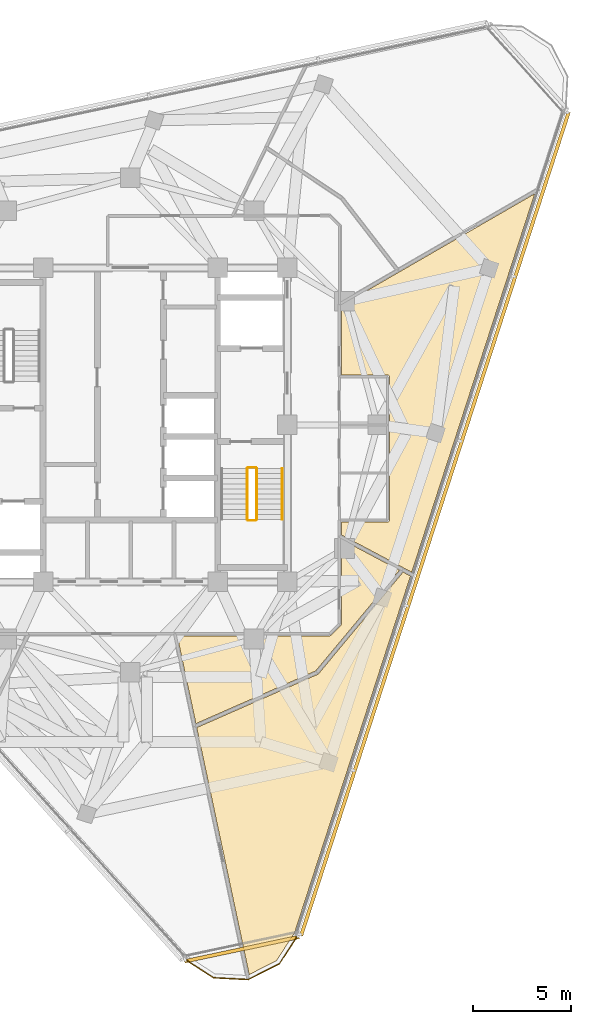
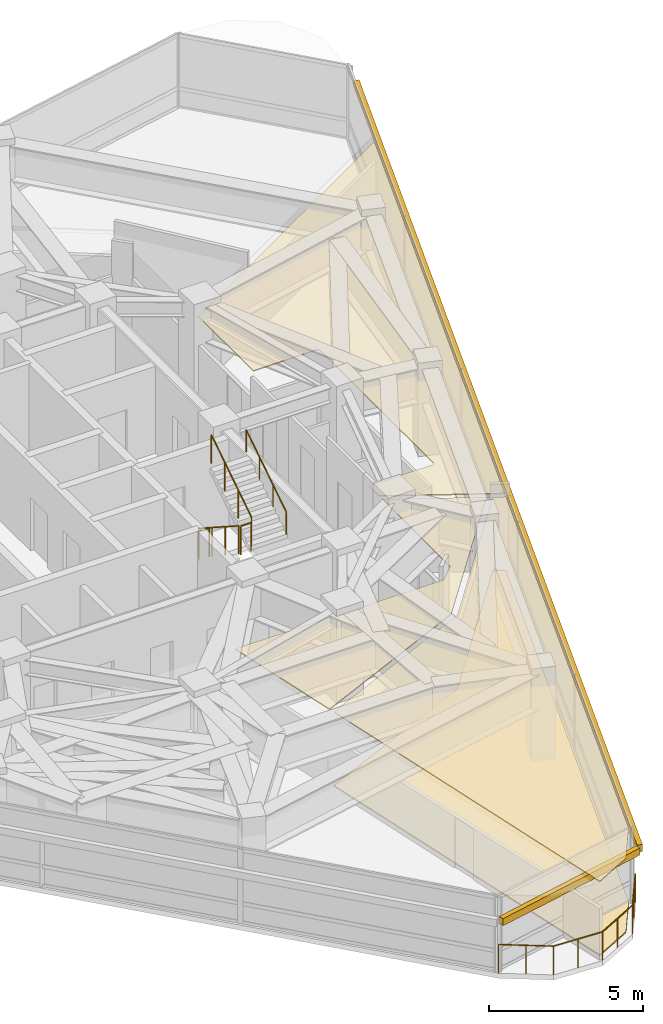
# One storey, part 13 of 15: 6 railings, 4 coverings, 2 shading devices.
"""IFC4 building model written with IfcOpenShell, lengths in metres."""

from ifc_helpers import new_model, si_unit, direction, frame, origin, origin_2d, place, context, subcontext, project, spatial, polyline, rectangle, circle, outline, extrude, material, layer, layer_set, type_object, element, save


model = new_model("IFC4")

# Units and contexts
model_context = context("Model", 3, precision=1e-05, world=origin(), true_north=direction((0.0, 1.0)))
body_context = subcontext(model_context, "Body", "Model", "MODEL_VIEW")
ifc_project = project(units=[si_unit("LENGTHUNIT", "METRE"), si_unit("AREAUNIT", "SQUARE_METRE"), si_unit("VOLUMEUNIT", "CUBIC_METRE"), si_unit("PLANEANGLEUNIT", "RADIAN"), si_unit("MASSUNIT", "GRAM", prefix="KILO")], contexts=[model_context])

# Site, building, storey
site_placement = place(None, origin())
site = spatial("IfcSite", under=ifc_project, at=site_placement, CompositionType="ELEMENT")
building_placement = place(site_placement, origin())
building = spatial("IfcBuilding", under=site, at=building_placement, Name="Terralouvre Media Tower", CompositionType="ELEMENT")
storey_placement = place(building_placement, frame((0.0, 0.0, 309.10009765625)))
storey = spatial("IfcBuildingStorey", under=building, at=storey_placement, Name="L80", CompositionType="ELEMENT", Elevation=309.10009765625)

# Coverings
ifc_material_1 = material(Name="Resilient elastomer acoustic broadcast studio flooring")
ifc_layer_1 = layer(ifc_material_1, 0.050048828125, Name="Broadcast Studio Acoustic Floating Floor FL-AC1")
ifc_layer_set_1 = layer_set([ifc_layer_1], Name="Resilient elastomer acoustic broadcast studio flooring")
covering_type_1 = type_object("IfcCoveringType", Name="Broadcast Studio Acoustic Floating Floor FL-AC1", PredefinedType="FLOORING", material=ifc_layer_set_1)
covering_1_placement = place(storey_placement, frame((0.0, 0.0, 0.0), z_axis=(0.0, 0.0, 1.0), x_axis=(0.309016994375, 0.951056516295, 0.0)))
element("IfcCovering", 1, at=covering_1_placement, inside=storey, type_object=covering_type_1, Name="L80 Vinyl and Score Music Library 4 Acoustic Floating Floor", PredefinedType="FLOORING", context=body_context, shape_type="SweptSolid", body=[
    extrude(outline(polyline([(-9.098876953125, -13.03564453125), (-9.107421875, -13.03173828125), (-9.115478515625, -13.02734375), (-9.123046875, -13.02197265625), (-9.130126953125, -13.01611328125), (-9.136474609375, -13.00927734375), (-13.624267578125, -7.9814453125), (-24.7685546875, -14.4150390625), (-23.666015625, -15.518310546875), (-22.03125, -15.9560546875), (-2.914794921875, -15.95654296875), (-2.840576171875, -15.532958984375), (-9.098876953125, -13.03564453125)])), origin(), (0.0, 0.0, 1.0), 0.0498046875),
])
ifc_material_2 = material(Name="Perforated aluminium acoustic ceiling baffle", Category="aluminium")
ifc_layer_2 = layer(ifc_material_2, 0.0400390625, Name="Perforated Acoustic Metal Tile Ceiling CL-AC1")
ifc_layer_set_2 = layer_set([ifc_layer_2], Name="Perforated aluminium acoustic ceiling baffle")
covering_type_2 = type_object("IfcCoveringType", Name="Perforated Acoustic Metal Tile Ceiling CL-AC1", PredefinedType="CEILING", material=ifc_layer_set_2)
covering_2_placement = place(storey_placement, frame((0.0, 0.0, 2.919921875), z_axis=(0.0, 0.0, 1.0), x_axis=(0.309016994375, 0.951056516295, 0.0)))
element("IfcCovering", 2, at=covering_2_placement, inside=storey, type_object=covering_type_2, Name="L80 Vinyl and Score Music Library 4 Acoustic Ceiling", PredefinedType="CEILING", context=body_context, shape_type="SweptSolid", body=[
    extrude(outline(polyline([(-9.098876953125, -13.03564453125), (-9.107421875, -13.03173828125), (-9.115478515625, -13.02734375), (-9.123046875, -13.02197265625), (-9.130126953125, -13.01611328125), (-9.136474609375, -13.00927734375), (-13.624267578125, -7.9814453125), (-24.7685546875, -14.4150390625), (-23.666015625, -15.518310546875), (-22.03125, -15.9560546875), (-2.914794921875, -15.95654296875), (-2.840576171875, -15.532958984375), (-9.098876953125, -13.03564453125)])), origin(), (0.0, 0.0, 1.0), 0.0400390625),
])
covering_3_placement = place(storey_placement, frame((0.0, 0.0, 2.919921875), z_axis=(0.0, 0.0, 1.0), x_axis=(0.309016994375, 0.951056516295, 0.0)))
element("IfcCovering", 3, at=covering_3_placement, inside=storey, type_object=covering_type_2, Name="L80 Podcast Host Green Lounge 5 Acoustic Ceiling", PredefinedType="CEILING", context=body_context, shape_type="SweptSolid", body=[
    extrude(outline(polyline([(-9.003173828125, -12.858642578125), (-2.80517578125, -15.331787109375), (-2.22216796875, -12.025146484375), (-6.331298828125, -13.3603515625), (-6.3408203125, -13.363037109375), (-6.350341796875, -13.364501953125), (-6.360107421875, -13.365234375), (-6.3701171875, -13.364990234375), (-6.379638671875, -13.36376953125), (-6.389404296875, -13.361572265625), (-6.398681640625, -13.3583984375), (-6.407470703125, -13.354248046875), (-7.03759765625, -13.033447265625), (-7.046142578125, -13.0283203125), (-7.05419921875, -13.022705078125), (-7.0615234375, -13.016357421875), (-7.068359375, -13.00927734375), (-7.07421875, -13.00146484375), (-7.07958984375, -12.9931640625), (-7.083740234375, -12.984375), (-7.08740234375, -12.97509765625), (-9.486083984375, -5.592529296875), (-13.447265625, -7.87939453125), (-9.003173828125, -12.858642578125)])), origin(), (0.0, 0.0, 1.0), 0.0400390625),
])
covering_4_placement = place(storey_placement, frame((0.0, 0.0, 2.919921875), z_axis=(0.0, 0.0, 1.0), x_axis=(0.309016994375, 0.951056516295, 0.0)))
element("IfcCovering", 4, at=covering_4_placement, inside=storey, type_object=covering_type_2, Name="L80 Acoustic Listening Study 6 Acoustic Ceiling", PredefinedType="CEILING", context=body_context, shape_type="SweptSolid", body=[
    extrude(outline(polyline([(9.114990234375, -8.341552734375), (5.7470703125, -9.435791015625), (6.473388671875, -11.6708984375), (6.475830078125, -11.680419921875), (6.4775390625, -11.68994140625), (6.478271484375, -11.69970703125), (6.47802734375, -11.709716796875), (6.4765625, -11.71923828125), (6.474365234375, -11.72900390625), (6.471435546875, -11.738037109375), (6.46728515625, -11.7470703125), (6.46240234375, -11.755615234375), (6.456787109375, -11.763671875), (6.4501953125, -11.77099609375), (6.443115234375, -11.77783203125), (6.435302734375, -11.78369140625), (6.427001953125, -11.7890625), (6.418212890625, -11.79345703125), (6.4091796875, -11.796875), (-0.53369140625, -14.052734375), (-0.54296875, -14.05517578125), (-0.552734375, -14.056884765625), (-0.5625, -14.0576171875), (-0.572265625, -14.057373046875), (-0.58203125, -14.055908203125), (-0.591796875, -14.0537109375), (-0.600830078125, -14.05078125), (-0.60986328125, -14.046630859375), (-0.618408203125, -14.041748046875), (-0.62646484375, -14.0361328125), (-0.6337890625, -14.029541015625), (-0.640625, -14.0224609375), (-0.646484375, -14.0146484375), (-0.65185546875, -14.00634765625), (-0.656005859375, -13.99755859375), (-0.65966796875, -13.988525390625), (-1.3857421875, -11.75341796875), (-2.0068359375, -11.955322265625), (-2.62939453125, -15.487548828125), (-2.711669921875, -15.95654296875), (17.572021484375, -15.956298828125), (11.62890625, -10.60546875), (9.114990234375, -8.341552734375)])), origin(), (0.0, 0.0, 1.0), 0.0400390625),
])

# Railings
ifc_material_3 = material(Name="Stainless steel 316 handrail and balustrade", Category="steel")
ifc_layer_3 = layer(ifc_material_3, 0.06005859375, Name="Roof Edge Safety Guardrail GR-ROOF1")
ifc_layer_set_3 = layer_set([ifc_layer_3], Name="Stainless steel 316 handrail and balustrade")
railing_type_1 = type_object("IfcRailingType", Name="Roof Edge Safety Guardrail GR-ROOF1", PredefinedType="GUARDRAIL", material=ifc_layer_set_3)
railing_1_placement = place(storey_placement, frame((2.738037109375, -27.202880859375, 0.0)))
element("IfcRailing", 5, at=railing_1_placement, inside=storey, type_object=railing_type_1, Name="L80 Wind-Corner Perimeter Safety Guardrail C0", PredefinedType="GUARDRAIL", context=body_context, shape_type="SweptSolid", body=[
    extrude(circle(Radius=0.02099609375, at=origin_2d()), frame((0.0, 0.0, 1.12890625), z_axis=(0.838512544294, -0.544882292849, 0.0), x_axis=(0.544882292849, 0.838512544294, 0.0)), (0.0, 0.0, 1.0), 1.780029296875),
    extrude(circle(Radius=0.02099609375, at=origin_2d()), frame((1.49267578125, -0.969970703125, 1.12890625), z_axis=(0.998626153307, -0.052400438264, 0.0), x_axis=(0.052400438264, 0.998626153307, 0.0)), (0.0, 0.0, 1.0), 1.77978515625),
    extrude(circle(Radius=0.02099609375, at=origin_2d()), frame((3.27001953125, -1.063232421875, 1.12890625), z_axis=(0.890999717441, 0.454003858487, 0.0), x_axis=(-0.454003858487, 0.890999717441, 0.0)), (0.0, 0.0, 1.0), 1.780029296875),
    extrude(circle(Radius=0.02099609375, at=origin_2d()), frame((4.85595703125, -0.255126953125, 1.12890625), z_axis=(0.544371122697, 0.838844491413, 0.0), x_axis=(-0.838844491413, 0.544371122697, 0.0)), (0.0, 0.0, 1.0), 1.780029296875),
    extrude(circle(Radius=0.01904296875, at=origin_2d()), origin(), (0.0, 0.0, 1.0), 1.10791015625),
    extrude(circle(Radius=0.01904296875, at=origin_2d()), frame((0.746337890625, -0.48486328125, 0.0)), (0.0, 0.0, 1.0), 1.10791015625),
    extrude(circle(Radius=0.01904296875, at=origin_2d()), frame((1.49267578125, -0.969970703125, 0.0)), (0.0, 0.0, 1.0), 1.10791015625),
    extrude(circle(Radius=0.01904296875, at=origin_2d()), frame((2.38134765625, -1.0166015625, 0.0)), (0.0, 0.0, 1.0), 1.10791015625),
    extrude(circle(Radius=0.01904296875, at=origin_2d()), frame((3.27001953125, -1.063232421875, 0.0)), (0.0, 0.0, 1.0), 1.10791015625),
    extrude(circle(Radius=0.01904296875, at=origin_2d()), frame((4.06298828125, -0.6591796875, 0.0)), (0.0, 0.0, 1.0), 1.10791015625),
    extrude(circle(Radius=0.01904296875, at=origin_2d()), frame((4.85595703125, -0.255126953125, 0.0)), (0.0, 0.0, 1.0), 1.10791015625),
    extrude(circle(Radius=0.01904296875, at=origin_2d()), frame((5.34033203125, 0.491455078125, 0.0)), (0.0, 0.0, 1.0), 1.10791015625),
    extrude(circle(Radius=0.01904296875, at=origin_2d()), frame((5.824951171875, 1.238037109375, 0.0)), (0.0, 0.0, 1.0), 1.10791015625),
])
ifc_material_4 = material(Name="Stainless steel 316 handrail and balustrade", Category="steel")
ifc_layer_4 = layer(ifc_material_4, 0.050048828125, Name="Stair Flight Wall Handrail HR-INT1")
ifc_layer_set_4 = layer_set([ifc_layer_4], Name="Stainless steel 316 handrail and balustrade")
railing_type_2 = type_object("IfcRailingType", Name="Stair Flight Wall Handrail HR-INT1", PredefinedType="HANDRAIL", material=ifc_layer_set_4)
railing_2_placement = place(storey_placement, frame((7.72998046875, -4.820068359375, 2.01806640625)))
element("IfcRailing", 6, at=railing_2_placement, inside=storey, type_object=railing_type_2, Name="L80 ST-02 stair handrail 2", PredefinedType="HANDRAIL", context=body_context, shape_type="SweptSolid", body=[
    extrude(circle(Radius=0.02392578125, at=origin_2d()), frame((0.0, 0.0, 0.8759765625), z_axis=(0.0, 0.839648411786, 0.543130320075), x_axis=(-1.0, 0.0, 0.0)), (0.0, 0.0, 1.0), 3.0966796875),
    extrude(circle(Radius=0.02099609375, at=origin_2d()), origin(), (0.0, 0.0, 1.0), 0.851806640625),
    extrude(circle(Radius=0.02099609375, at=origin_2d()), frame((0.0, 0.86669921875, 0.560546875)), (0.0, 0.0, 1.0), 0.851806640625),
    extrude(circle(Radius=0.02099609375, at=origin_2d()), frame((0.0, 1.7333984375, 1.121337890625)), (0.0, 0.0, 1.0), 0.851806640625),
    extrude(circle(Radius=0.02099609375, at=origin_2d()), frame((0.0, 2.60009765625, 1.681884765625)), (0.0, 0.0, 1.0), 0.851806640625),
])
ifc_material_5 = material(Name="Stainless steel 316 handrail and balustrade", Category="steel")
ifc_layer_5 = layer(ifc_material_5, 0.050048828125, Name="Stairwell Safety Guardrail GR-INT1")
ifc_layer_set_5 = layer_set([ifc_layer_5], Name="Stainless steel 316 handrail and balustrade")
railing_type_3 = type_object("IfcRailingType", Name="Stairwell Safety Guardrail GR-INT1", PredefinedType="GUARDRAIL", material=ifc_layer_set_5)
railing_3_placement = place(storey_placement, frame((5.949951171875, -2.219970703125, 0.16796875)))
element("IfcRailing", 7, at=railing_3_placement, inside=storey, type_object=railing_type_3, Name="L80 ST-02 stair guard 1", PredefinedType="GUARDRAIL", context=body_context, shape_type="SweptSolid", body=[
    extrude(circle(Radius=0.02392578125, at=origin_2d()), frame((0.0, 0.0, 1.1259765625), z_axis=(0.0, -0.839648411786, 0.543130320075), x_axis=(1.0, 0.0, 0.0)), (0.0, 0.0, 1.0), 3.0966796875),
    extrude(circle(Radius=0.02099609375, at=origin_2d()), origin(), (0.0, 0.0, 1.0), 1.101806640625),
    extrude(circle(Radius=0.02099609375, at=origin_2d()), frame((0.0, -0.86669921875, 0.560546875)), (0.0, 0.0, 1.0), 1.101806640625),
    extrude(circle(Radius=0.02099609375, at=origin_2d()), frame((0.0, -1.7333984375, 1.121337890625)), (0.0, 0.0, 1.0), 1.101806640625),
    extrude(circle(Radius=0.02099609375, at=origin_2d()), frame((0.0, -2.60009765625, 1.681884765625)), (0.0, 0.0, 1.0), 1.101806640625),
])
railing_4_placement = place(storey_placement, frame((6.0, -4.8701171875, 1.849853515625)))
element("IfcRailing", 8, at=railing_4_placement, inside=storey, type_object=railing_type_3, Name="L80 ST-02 stair guard 2", PredefinedType="GUARDRAIL", context=body_context, shape_type="SweptSolid", body=[
    extrude(circle(Radius=0.02392578125, at=origin_2d()), frame((0.0, 0.0, 1.1259765625), z_axis=(1.0, 0.0, 0.0), x_axis=(0.0, 1.0, 0.0)), (0.0, 0.0, 1.0), 0.3798828125),
    extrude(circle(Radius=0.02099609375, at=origin_2d()), origin(), (0.0, 0.0, 1.0), 1.101806640625),
    extrude(circle(Radius=0.02099609375, at=origin_2d()), frame((0.3798828125, 0.0, 0.0)), (0.0, 0.0, 1.0), 1.101806640625),
])
railing_5_placement = place(storey_placement, frame((6.429931640625, -4.820068359375, 2.01806640625)))
element("IfcRailing", 9, at=railing_5_placement, inside=storey, type_object=railing_type_3, Name="L80 ST-02 stair guard 3", PredefinedType="GUARDRAIL", context=body_context, shape_type="SweptSolid", body=[
    extrude(circle(Radius=0.02392578125, at=origin_2d()), frame((0.0, 0.0, 1.1259765625), z_axis=(0.0, 0.839648411786, 0.543130320075), x_axis=(-1.0, 0.0, 0.0)), (0.0, 0.0, 1.0), 3.0966796875),
    extrude(circle(Radius=0.02099609375, at=origin_2d()), origin(), (0.0, 0.0, 1.0), 1.101806640625),
    extrude(circle(Radius=0.02099609375, at=origin_2d()), frame((0.0, 0.86669921875, 0.560546875)), (0.0, 0.0, 1.0), 1.101806640625),
    extrude(circle(Radius=0.02099609375, at=origin_2d()), frame((0.0, 1.7333984375, 1.121337890625)), (0.0, 0.0, 1.0), 1.101806640625),
    extrude(circle(Radius=0.02099609375, at=origin_2d()), frame((0.0, 2.60009765625, 1.681884765625)), (0.0, 0.0, 1.0), 1.101806640625),
])
railing_6_placement = place(storey_placement, frame((6.0, -2.169921875, 0.0)))
element("IfcRailing", 10, at=railing_6_placement, inside=storey, type_object=railing_type_3, Name="L80 ST-02 stair guard 4", PredefinedType="GUARDRAIL", context=body_context, shape_type="SweptSolid", body=[
    extrude(circle(Radius=0.02392578125, at=origin_2d()), frame((0.0, 0.0, 1.1259765625), z_axis=(1.0, 0.0, 0.0), x_axis=(0.0, 1.0, 0.0)), (0.0, 0.0, 1.0), 0.3798828125),
    extrude(circle(Radius=0.02099609375, at=origin_2d()), origin(), (0.0, 0.0, 1.0), 1.101806640625),
    extrude(circle(Radius=0.02099609375, at=origin_2d()), frame((0.3798828125, 0.0, 0.0)), (0.0, 0.0, 1.0), 1.101806640625),
])

# Shading devices
ifc_material_6 = material(Name="Extruded terracotta baguette sunshade louvres", Category="masonry")
shading_device_type = type_object("IfcShadingDeviceType", Name="Terracotta Baguette Sunshade Louvre Screen TB-LV1", PredefinedType="USERDEFINED", material=ifc_material_6)
shading_device_1_placement = place(storey_placement, frame((15.517822265625, -5.0419921875, 1.98681640625), z_axis=(0.0, 0.0, 1.0), x_axis=(0.309017021946, 0.951056507337, 0.0)))
element("IfcShadingDevice", 11, at=shading_device_1_placement, inside=storey, type_object=shading_device_type, Name="CW-L80-F0 Terracotta Baguette Sunshade Louvre", ObjectType="BAGUETTE", PredefinedType="USERDEFINED", context=body_context, shape_type="SweptSolid", body=[
    extrude(rectangle(XDim=44.1201171875, YDim=0.179931640625, at=origin_2d()), origin(), (0.0, 0.0, 1.0), 0.280029296875),
])
shading_device_2_placement = place(storey_placement, frame((5.6787109375, -26.7158203125, 1.98681640625), z_axis=(0.0, 0.0, 1.0), x_axis=(0.978147609922, 0.207911647592, 0.0)))
element("IfcShadingDevice", 12, at=shading_device_2_placement, inside=storey, type_object=shading_device_type, Name="CW-L80-C0 Terracotta Baguette Sunshade Louvre", ObjectType="BAGUETTE", PredefinedType="USERDEFINED", context=body_context, shape_type="SweptSolid", body=[
    extrude(rectangle(XDim=5.958251953125, YDim=0.179931640625, at=origin_2d()), origin(), (0.0, 0.0, 1.0), 0.280029296875),
])

save(model, "model.ifc")
